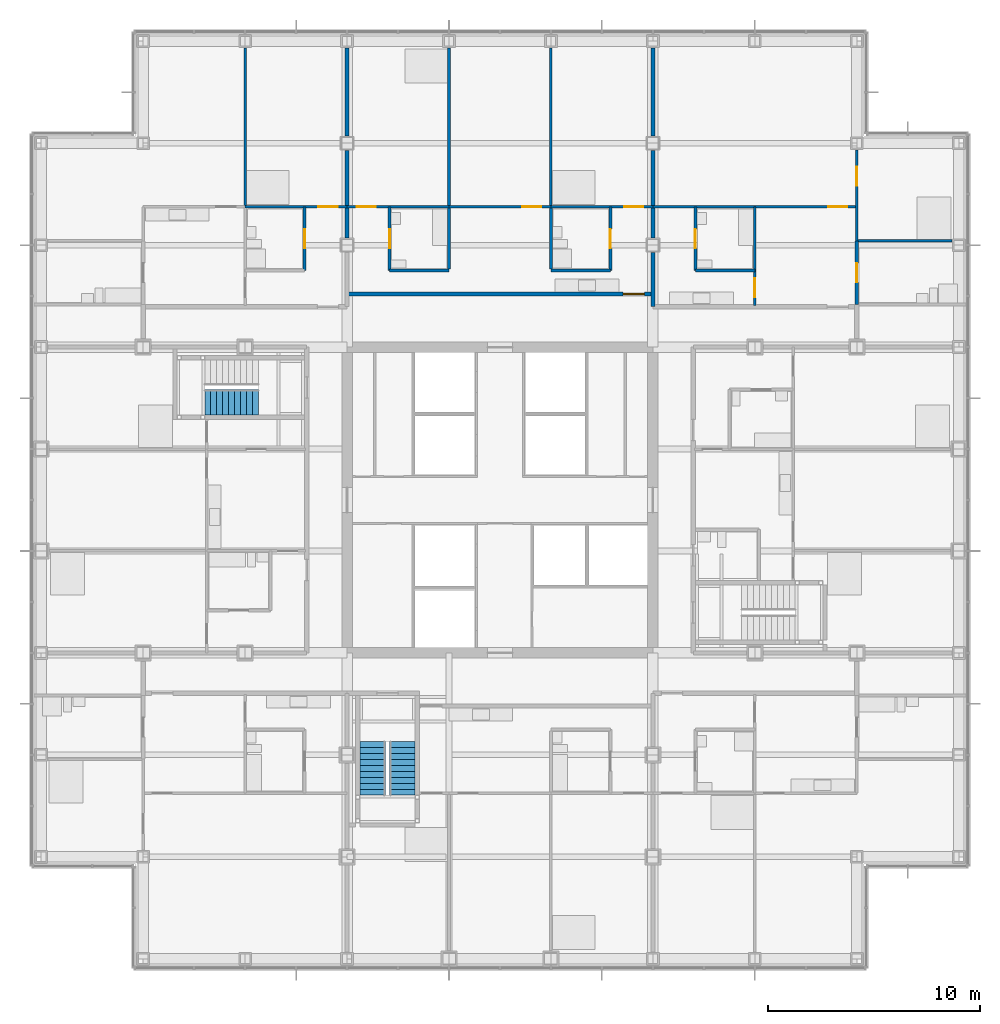
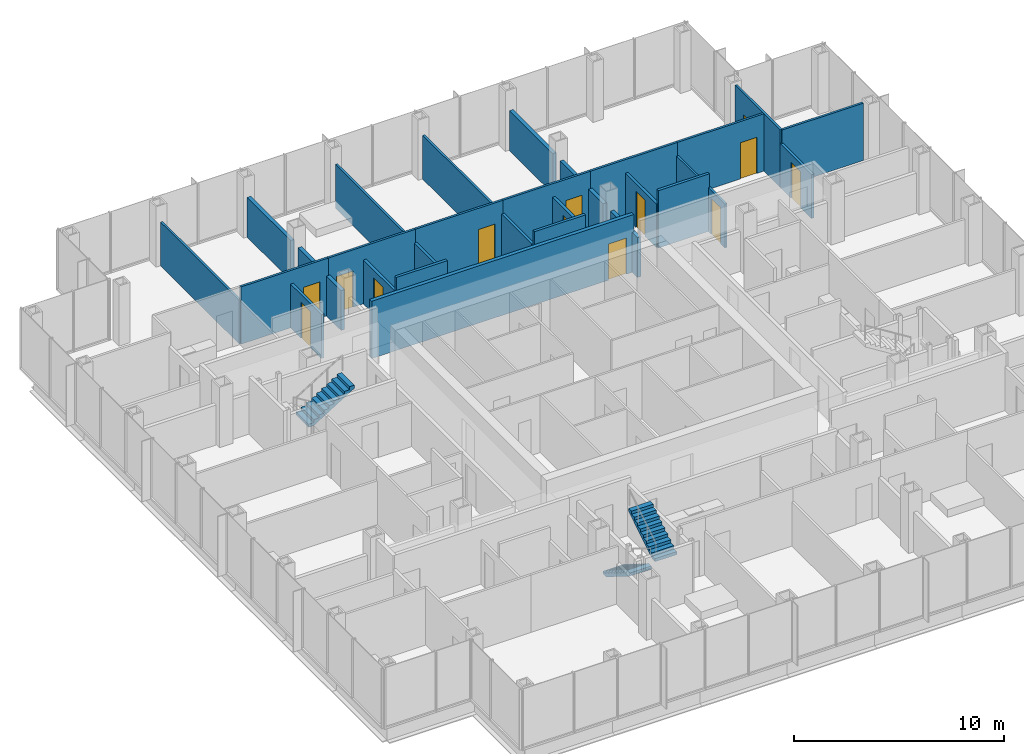
# One storey, part 17 of 21: 28 walls, 13 doors, 3 stair flights, 13 openings, 2 elements without a shape of their own.
"""IFC4 building model written with IfcOpenShell, lengths in metres."""

from ifc_helpers import new_model, si_unit, direction, frame, frame_2d, origin, place, context, subcontext, project, spatial, polyline, rectangle, outline, extrude, material, layer, layer_set, type_object, element, fill, aggregate, save


model = new_model("IFC4")

# Units and contexts
model_context = context("Model", 3, precision=1e-05, world=origin(), true_north=direction((0.0, 1.0)))
body_context = subcontext(model_context, "Body", "Model", "MODEL_VIEW")
ifc_project = project(units=[si_unit("LENGTHUNIT", "METRE"), si_unit("AREAUNIT", "SQUARE_METRE"), si_unit("VOLUMEUNIT", "CUBIC_METRE"), si_unit("PLANEANGLEUNIT", "RADIAN"), si_unit("MASSUNIT", "GRAM", prefix="KILO")], contexts=[model_context])

# Site, building, storey
site_placement = place(None, origin())
site = spatial("IfcSite", under=ifc_project, at=site_placement, CompositionType="ELEMENT")
building_placement = place(site_placement, origin())
building = spatial("IfcBuilding", under=site, at=building_placement, Name="Kvirike Care Tower", CompositionType="ELEMENT")
storey_placement = place(building_placement, frame((0.0, 0.0, 62.0)))
storey = spatial("IfcBuildingStorey", under=building, at=storey_placement, Name="L16", CompositionType="ELEMENT", Elevation=62.0)

# Wall, opening, door
ifc_material_1 = material(Name="Moisture-resistant board partition", Category="gypsum")
ifc_layer_1 = layer(ifc_material_1, 0.14990234375)
ifc_layer_set_1 = layer_set([ifc_layer_1], Name="BATHROOM WALL 150")
wall_type_1 = type_object("IfcWallType", Name="BATHROOM WALL 150", PredefinedType="PARTITIONING", material=ifc_layer_set_1)
wall_1_placement = place(storey_placement, frame((12.39990234375, 49.800048828125, 0.0), z_axis=(0.0, 0.0, 1.0), x_axis=(0.0, -1.0, 0.0)))
wall_1 = element("IfcWall", 1, at=wall_1_placement, inside=storey, type_object=wall_type_1, Name="Bathroom Wall 150 L16", PredefinedType="PARTITIONING", context=body_context, shape_type="SweptSolid", body=[
    extrude(rectangle(XDim=3.0, YDim=0.14990234375, at=frame_2d((1.5, 0.0))), origin(), (0.0, 0.0, 1.0), 2.550048828125),
])
opening_1_placement = place(wall_1_placement, frame((1.050048828125, 0.0, 0.0)))
opening_1 = element("IfcOpeningElement", 2, at=opening_1_placement, cuts=wall_1, Name="Opening 16-015", PredefinedType="OPENING", context=body_context, shape_type="SweptSolid", body=[
    extrude(rectangle(XDim=0.89990234375, YDim=2.10009765625, at=frame_2d((0.449951171875, 1.050048828125))), frame((0.0, 0.08544921875, 0.0), z_axis=(0.0, -1.0, 0.0), x_axis=(1.0, 0.0, 0.0)), (0.0, 0.0, 1.0), 0.1708984375),
])
ifc_material_2 = material(Name="Timber door set", Category="wood")
door_type_1 = type_object("IfcDoorType", Name="BATHROOM DOOR 900", OperationType="SINGLE_SWING_RIGHT", PredefinedType="DOOR", material=ifc_material_2)
door_1_placement = place(opening_1_placement, frame((0.89990234375, 0.0, 0.0), z_axis=(0.0, 0.0, 1.0), x_axis=(-1.0, 0.0, 0.0)))
door_1 = element("IfcDoor", 3, at=door_1_placement, inside=storey, type_object=door_type_1, Name="Shower room door", OperationType="SINGLE_SWING_LEFT", OverallHeight=2.10009765625, OverallWidth=0.89990234375, PredefinedType="DOOR", context=body_context, shape_type="SweptSolid", body=[
    extrude(rectangle(XDim=0.89990234375, YDim=2.10009765625, at=frame_2d((0.449951171875, 1.050048828125))), frame((0.0, 0.02197265625, 0.0), z_axis=(0.0, -1.0, 0.0), x_axis=(1.0, 0.0, 0.0)), (0.0, 0.0, 1.0), 0.0439453125),
])
fill(opening_1, door_1)

wall_2_placement = place(storey_placement, frame((26.800048828125, 49.800048828125, 0.0), z_axis=(0.0, 0.0, 1.0), x_axis=(0.0, -1.0, 0.0)))
wall_2 = element("IfcWall", 4, at=wall_2_placement, inside=storey, type_object=wall_type_1, Name="Bathroom Wall 150 L16", PredefinedType="PARTITIONING", context=body_context, shape_type="SweptSolid", body=[
    extrude(rectangle(XDim=3.0, YDim=0.14990234375, at=frame_2d((1.5, 0.0))), origin(), (0.0, 0.0, 1.0), 2.550048828125),
])
opening_2_placement = place(wall_2_placement, frame((1.050048828125, 0.0, 0.0)))
opening_2 = element("IfcOpeningElement", 5, at=opening_2_placement, cuts=wall_2, Name="Opening 16-027", PredefinedType="OPENING", context=body_context, shape_type="SweptSolid", body=[
    extrude(rectangle(XDim=0.89990234375, YDim=2.10009765625, at=frame_2d((0.449951171875, 1.050048828125))), frame((0.0, 0.08544921875, 0.0), z_axis=(0.0, -1.0, 0.0), x_axis=(1.0, 0.0, 0.0)), (0.0, 0.0, 1.0), 0.1708984375),
])
door_2_placement = place(opening_2_placement, frame((0.89990234375, 0.0, 0.0), z_axis=(0.0, 0.0, 1.0), x_axis=(-1.0, 0.0, 0.0)))
door_2 = element("IfcDoor", 6, at=door_2_placement, inside=storey, type_object=door_type_1, Name="Shower room door", OperationType="SINGLE_SWING_RIGHT", OverallHeight=2.10009765625, OverallWidth=0.89990234375, PredefinedType="DOOR", context=body_context, shape_type="SweptSolid", body=[
    extrude(rectangle(XDim=0.89990234375, YDim=2.10009765625, at=frame_2d((0.449951171875, 1.050048828125))), frame((0.0, 0.02197265625, 0.0), z_axis=(0.0, -1.0, 0.0), x_axis=(1.0, 0.0, 0.0)), (0.0, 0.0, 1.0), 0.0439453125),
])
fill(opening_2, door_2)

# Wall
wall_3_placement = place(storey_placement, frame((26.800048828125, 46.800048828125, 0.0), z_axis=(0.0, 0.0, 1.0), x_axis=(-1.0, 0.0, 0.0)))
element("IfcWall", 7, at=wall_3_placement, inside=storey, type_object=wall_type_1, Name="Bathroom Wall 150 L16", PredefinedType="PARTITIONING", context=body_context, shape_type="SweptSolid", body=[
    extrude(rectangle(XDim=2.800048828125, YDim=0.14990234375, at=frame_2d((1.39990234375, 0.0))), origin(), (0.0, 0.0, 1.0), 3.330078125),
])

# Wall, opening, door
wall_4_placement = place(storey_placement, frame((16.39990234375, 49.800048828125, 0.0), z_axis=(0.0, 0.0, 1.0), x_axis=(0.0, -1.0, 0.0)))
wall_4 = element("IfcWall", 8, at=wall_4_placement, inside=storey, type_object=wall_type_1, Name="Bathroom Wall 150 L16", PredefinedType="PARTITIONING", context=body_context, shape_type="SweptSolid", body=[
    extrude(rectangle(XDim=3.0, YDim=0.14990234375, at=frame_2d((1.5, 0.0))), origin(), (0.0, 0.0, 1.0), 2.550048828125),
])
opening_3_placement = place(wall_4_placement, frame((1.050048828125, 0.0, 0.0)))
opening_3 = element("IfcOpeningElement", 9, at=opening_3_placement, cuts=wall_4, Name="Opening 16-028", PredefinedType="OPENING", context=body_context, shape_type="SweptSolid", body=[
    extrude(rectangle(XDim=0.89990234375, YDim=2.10009765625, at=frame_2d((0.449951171875, 1.050048828125))), frame((0.0, 0.08544921875, 0.0), z_axis=(0.0, -1.0, 0.0), x_axis=(1.0, 0.0, 0.0)), (0.0, 0.0, 1.0), 0.1708984375),
])
door_3_placement = place(opening_3_placement, origin())
door_3 = element("IfcDoor", 10, at=door_3_placement, inside=storey, type_object=door_type_1, Name="Bathroom door", OperationType="SINGLE_SWING_RIGHT", OverallHeight=2.10009765625, OverallWidth=0.89990234375, PredefinedType="DOOR", context=body_context, shape_type="SweptSolid", body=[
    extrude(rectangle(XDim=0.89990234375, YDim=2.10009765625, at=frame_2d((0.449951171875, 1.050048828125))), frame((0.0, 0.02197265625, 0.0), z_axis=(0.0, -1.0, 0.0), x_axis=(1.0, 0.0, 0.0)), (0.0, 0.0, 1.0), 0.0439453125),
])
fill(opening_3, door_3)

# Wall
wall_5_placement = place(storey_placement, frame((19.199951171875, 46.800048828125, 0.0), z_axis=(0.0, 0.0, 1.0), x_axis=(-1.0, 0.0, 0.0)))
element("IfcWall", 11, at=wall_5_placement, inside=storey, type_object=wall_type_1, Name="Bathroom Wall 150 L16", PredefinedType="PARTITIONING", context=body_context, shape_type="SweptSolid", body=[
    extrude(rectangle(XDim=2.800048828125, YDim=0.14990234375, at=frame_2d((1.39990234375, 0.0))), origin(), (0.0, 0.0, 1.0), 3.330078125),
])

# Wall, opening, door
wall_6_placement = place(storey_placement, frame((38.39990234375, 48.199951171875, 0.0), z_axis=(0.0, 0.0, 1.0), x_axis=(0.0, -1.0, 0.0)))
wall_6 = element("IfcWall", 12, at=wall_6_placement, inside=storey, type_object=wall_type_1, Name="Bathroom Wall 150 L16", PredefinedType="PARTITIONING", context=body_context, shape_type="SweptSolid", body=[
    extrude(rectangle(XDim=3.0, YDim=0.14990234375, at=frame_2d((1.5, 0.0))), origin(), (0.0, 0.0, 1.0), 2.550048828125),
])
opening_4_placement = place(wall_6_placement, frame((1.050048828125, 0.0, 0.0)))
opening_4 = element("IfcOpeningElement", 13, at=opening_4_placement, cuts=wall_6, Name="Opening 16-047", PredefinedType="OPENING", context=body_context, shape_type="SweptSolid", body=[
    extrude(rectangle(XDim=0.89990234375, YDim=2.10009765625, at=frame_2d((0.449951171875, 1.050048828125))), frame((0.0, 0.08544921875, 0.0), z_axis=(0.0, -1.0, 0.0), x_axis=(1.0, 0.0, 0.0)), (0.0, 0.0, 1.0), 0.1708984375),
])
door_4_placement = place(opening_4_placement, origin())
door_4 = element("IfcDoor", 14, at=door_4_placement, inside=storey, type_object=door_type_1, Name="Shower room door", OperationType="SINGLE_SWING_LEFT", OverallHeight=2.10009765625, OverallWidth=0.89990234375, PredefinedType="DOOR", context=body_context, shape_type="SweptSolid", body=[
    extrude(rectangle(XDim=0.89990234375, YDim=2.10009765625, at=frame_2d((0.449951171875, 1.050048828125))), frame((0.0, 0.02197265625, 0.0), z_axis=(0.0, -1.0, 0.0), x_axis=(1.0, 0.0, 0.0)), (0.0, 0.0, 1.0), 0.0439453125),
])
fill(opening_4, door_4)

wall_7_placement = place(storey_placement, frame((30.800048828125, 49.800048828125, 0.0), z_axis=(0.0, 0.0, 1.0), x_axis=(0.0, -1.0, 0.0)))
wall_7 = element("IfcWall", 15, at=wall_7_placement, inside=storey, type_object=wall_type_1, Name="Bathroom Wall 150 L16", PredefinedType="PARTITIONING", context=body_context, shape_type="SweptSolid", body=[
    extrude(rectangle(XDim=3.0, YDim=0.14990234375, at=frame_2d((1.5, 0.0))), origin(), (0.0, 0.0, 1.0), 2.550048828125),
])
opening_5_placement = place(wall_7_placement, frame((1.050048828125, 0.0, 0.0)))
opening_5 = element("IfcOpeningElement", 16, at=opening_5_placement, cuts=wall_7, Name="Opening 16-048", PredefinedType="OPENING", context=body_context, shape_type="SweptSolid", body=[
    extrude(rectangle(XDim=0.89990234375, YDim=2.10009765625, at=frame_2d((0.449951171875, 1.050048828125))), frame((0.0, 0.08544921875, 0.0), z_axis=(0.0, -1.0, 0.0), x_axis=(1.0, 0.0, 0.0)), (0.0, 0.0, 1.0), 0.1708984375),
])
door_5_placement = place(opening_5_placement, origin())
door_5 = element("IfcDoor", 17, at=door_5_placement, inside=storey, type_object=door_type_1, Name="Bathroom door", OperationType="SINGLE_SWING_RIGHT", OverallHeight=2.10009765625, OverallWidth=0.89990234375, PredefinedType="DOOR", context=body_context, shape_type="SweptSolid", body=[
    extrude(rectangle(XDim=0.89990234375, YDim=2.10009765625, at=frame_2d((0.449951171875, 1.050048828125))), frame((0.0, 0.02197265625, 0.0), z_axis=(0.0, -1.0, 0.0), x_axis=(1.0, 0.0, 0.0)), (0.0, 0.0, 1.0), 0.0439453125),
])
fill(opening_5, door_5)

# Walls
wall_8_placement = place(storey_placement, frame((33.60009765625, 46.800048828125, 0.0), z_axis=(0.0, 0.0, 1.0), x_axis=(-1.0, 0.0, 0.0)))
element("IfcWall", 18, at=wall_8_placement, inside=storey, type_object=wall_type_1, Name="Bathroom Wall 150 L16", PredefinedType="PARTITIONING", context=body_context, shape_type="SweptSolid", body=[
    extrude(rectangle(XDim=2.800048828125, YDim=0.14990234375, at=frame_2d((1.39990234375, 0.0))), origin(), (0.0, 0.0, 1.0), 3.330078125),
])
for number, where, z_axis, x_axis, name in (
    (19, (24.0, 46.875, 0.0), (0.0, 0.0, 1.0), (0.0, 1.0, 0.0), "Bathroom Wall 150 L16"),
    (20, (19.199951171875, 49.739990234375, 0.0), (0.0, 0.0, 1.0), (0.0, -1.0, 0.0), "Bathroom Wall 150 L16"),
):
    element("IfcWall", number, at=place(storey_placement, frame(where, z_axis=z_axis, x_axis=x_axis)), inside=storey, type_object=wall_type_1, Name=name, PredefinedType="PARTITIONING", context=body_context, shape_type="SweptSolid", body=[
        extrude(rectangle(XDim=2.864990234375, YDim=0.14990234375, at=frame_2d((1.4326171875, 0.0))), origin(), (0.0, 0.0, 1.0), 2.550048828125),
    ])

# Wall, opening, door
ifc_material_3 = material(Name="Plasterboard corridor wall", Category="gypsum")
ifc_layer_2 = layer(ifc_material_3, 0.199951171875)
ifc_layer_set_2 = layer_set([ifc_layer_2], Name="CORRIDOR WALL 200")
wall_type_2 = type_object("IfcWallType", Name="CORRIDOR WALL 200", PredefinedType="PARTITIONING", material=ifc_layer_set_2)
wall_9_placement = place(storey_placement, frame((28.800048828125, 45.699951171875, 0.0), z_axis=(0.0, 0.0, 1.0), x_axis=(-1.0, 0.0, 0.0)))
wall_9 = element("IfcWall", 21, at=wall_9_placement, inside=storey, type_object=wall_type_2, Name="Corridor Wall 200 L16", PredefinedType="PARTITIONING", context=body_context, shape_type="SweptSolid", body=[
    extrude(rectangle(XDim=14.400146484375, YDim=0.199951171875, at=frame_2d((7.2001953125, 0.0))), origin(), (0.0, 0.0, 1.0), 3.330078125),
])
opening_6_placement = place(wall_9_placement, frame((0.39990234375, 0.0, 0.0)))
opening_6 = element("IfcOpeningElement", 22, at=opening_6_placement, cuts=wall_9, Name="Opening 16-032", PredefinedType="OPENING", context=body_context, shape_type="SweptSolid", body=[
    extrude(rectangle(XDim=1.0, YDim=2.10009765625, at=frame_2d((0.5, 1.050048828125))), frame((0.0, 0.110595703125, 0.0), z_axis=(0.0, -1.0, 0.0), x_axis=(1.0, 0.0, 0.0)), (0.0, 0.0, 1.0), 0.220947265625),
])
ifc_material_4 = material(Name="Timber door set", Category="wood")
door_type_2 = type_object("IfcDoorType", Name="FLAT ENTRANCE DOOR 1000", OperationType="SINGLE_SWING_LEFT", PredefinedType="DOOR", material=ifc_material_4)
door_6_placement = place(opening_6_placement, frame((1.0, 0.0, 0.0), z_axis=(0.0, 0.0, 1.0), x_axis=(-1.0, 0.0, 0.0)))
door_6 = element("IfcDoor", 23, at=door_6_placement, inside=storey, type_object=door_type_2, Name="Two-bedroom apartment entrance", OperationType="SINGLE_SWING_LEFT", OverallHeight=2.10009765625, OverallWidth=1.0, PredefinedType="DOOR", context=body_context, shape_type="SweptSolid", body=[
    extrude(rectangle(XDim=1.0, YDim=2.10009765625, at=frame_2d((0.5, 1.050048828125))), frame((0.0, 0.02685546875, 0.0), z_axis=(0.0, -1.0, 0.0), x_axis=(1.0, 0.0, 0.0)), (0.0, 0.0, 1.0), 0.053955078125),
])
fill(opening_6, door_6)

ifc_material_5 = material(Name="Plasterboard partition", Category="gypsum")
ifc_layer_3 = layer(ifc_material_5, 0.1201171875)
ifc_layer_set_3 = layer_set([ifc_layer_3], Name="PARTITION 120")
wall_type_3 = type_object("IfcWallType", Name="PARTITION 120", PredefinedType="PARTITIONING", material=ifc_layer_set_3)
wall_10_placement = place(storey_placement, frame((14.39990234375, 49.800048828125, 0.0), z_axis=(0.0, 0.0, 1.0), x_axis=(-1.0, 0.0, 0.0)))
wall_10 = element("IfcWall", 24, at=wall_10_placement, inside=storey, type_object=wall_type_3, Name="Partition 120 L16", PredefinedType="PARTITIONING", context=body_context, shape_type="SweptSolid", body=[
    extrude(rectangle(XDim=4.7998046875, YDim=0.1201171875, at=frame_2d((2.39990234375, 0.0))), origin(), (0.0, 0.0, 1.0), 3.330078125),
])
opening_7_placement = place(wall_10_placement, frame((0.449951171875, 0.0, 0.0)))
opening_7 = element("IfcOpeningElement", 25, at=opening_7_placement, cuts=wall_10, Name="Opening 16-018", PredefinedType="OPENING", context=body_context, shape_type="SweptSolid", body=[
    extrude(rectangle(XDim=0.89990234375, YDim=2.10009765625, at=frame_2d((0.449951171875, 1.050048828125))), frame((0.0, 0.070556640625, 0.0), z_axis=(0.0, -1.0, 0.0), x_axis=(1.0, 0.0, 0.0)), (0.0, 0.0, 1.0), 0.14111328125),
])
ifc_material_6 = material(Name="Timber door set", Category="wood")
door_type_3 = type_object("IfcDoorType", Name="INTERNAL DOOR 900", OperationType="SINGLE_SWING_LEFT", PredefinedType="DOOR", material=ifc_material_6)
door_7_placement = place(opening_7_placement, origin())
door_7 = element("IfcDoor", 26, at=door_7_placement, inside=storey, type_object=door_type_3, Name="Apartment bedroom door", OperationType="SINGLE_SWING_RIGHT", OverallHeight=2.10009765625, OverallWidth=0.89990234375, PredefinedType="DOOR", context=body_context, shape_type="SweptSolid", body=[
    extrude(rectangle(XDim=0.89990234375, YDim=2.10009765625, at=frame_2d((0.449951171875, 1.050048828125))), frame((0.0, 0.02197265625, 0.0), z_axis=(0.0, -1.0, 0.0), x_axis=(1.0, 0.0, 0.0)), (0.0, 0.0, 1.0), 0.0439453125),
])
fill(opening_7, door_7)

# Wall
wall_11_placement = place(storey_placement, frame((9.60009765625, 57.280029296875, 0.0), z_axis=(0.0, 0.0, 1.0), x_axis=(0.0, -1.0, 0.0)))
element("IfcWall", 27, at=wall_11_placement, inside=storey, type_object=wall_type_3, Name="Partition 120 L16", PredefinedType="PARTITIONING", context=body_context, shape_type="SweptSolid", body=[
    extrude(rectangle(XDim=7.47998046875, YDim=0.1201171875, at=frame_2d((3.739990234375, 0.0))), origin(), (0.0, 0.0, 1.0), 2.550048828125),
])

# Wall, opening, door
wall_12_placement = place(storey_placement, frame((28.800048828125, 49.800048828125, 0.0), z_axis=(0.0, 0.0, 1.0), x_axis=(-1.0, 0.0, 0.0)))
wall_12 = element("IfcWall", 28, at=wall_12_placement, inside=storey, type_object=wall_type_3, Name="Partition 120 L16", PredefinedType="PARTITIONING", context=body_context, shape_type="SweptSolid", body=[
    extrude(rectangle(XDim=4.800048828125, YDim=0.1201171875, at=frame_2d((2.39990234375, 0.0))), origin(), (0.0, 0.0, 1.0), 3.330078125),
])
opening_8_placement = place(wall_12_placement, frame((0.449951171875, 0.0, 0.0)))
opening_8 = element("IfcOpeningElement", 29, at=opening_8_placement, cuts=wall_12, Name="Opening 16-029", PredefinedType="OPENING", context=body_context, shape_type="SweptSolid", body=[
    extrude(rectangle(XDim=0.89990234375, YDim=2.10009765625, at=frame_2d((0.449951171875, 1.050048828125))), frame((0.0, 0.070556640625, 0.0), z_axis=(0.0, -1.0, 0.0), x_axis=(1.0, 0.0, 0.0)), (0.0, 0.0, 1.0), 0.14111328125),
])
door_8_placement = place(opening_8_placement, frame((0.89990234375, 0.0, 0.0), z_axis=(0.0, 0.0, 1.0), x_axis=(-1.0, 0.0, 0.0)))
door_8 = element("IfcDoor", 30, at=door_8_placement, inside=storey, type_object=door_type_3, Name="Apartment bedroom door", OperationType="SINGLE_SWING_LEFT", OverallHeight=2.10009765625, OverallWidth=0.89990234375, PredefinedType="DOOR", context=body_context, shape_type="SweptSolid", body=[
    extrude(rectangle(XDim=0.89990234375, YDim=2.10009765625, at=frame_2d((0.449951171875, 1.050048828125))), frame((0.0, 0.02197265625, 0.0), z_axis=(0.0, -1.0, 0.0), x_axis=(1.0, 0.0, 0.0)), (0.0, 0.0, 1.0), 0.0439453125),
])
fill(opening_8, door_8)

wall_13_placement = place(storey_placement, frame((24.0, 49.800048828125, 0.0), z_axis=(0.0, 0.0, 1.0), x_axis=(-1.0, 0.0, 0.0)))
wall_13 = element("IfcWall", 31, at=wall_13_placement, inside=storey, type_object=wall_type_3, Name="Partition 120 L16", PredefinedType="PARTITIONING", context=body_context, shape_type="SweptSolid", body=[
    extrude(rectangle(XDim=4.800048828125, YDim=0.1201171875, at=frame_2d((2.39990234375, 0.0))), origin(), (0.0, 0.0, 1.0), 3.330078125),
])
opening_9_placement = place(wall_13_placement, frame((0.449951171875, 0.0, 0.0)))
opening_9 = element("IfcOpeningElement", 32, at=opening_9_placement, cuts=wall_13, Name="Opening 16-030", PredefinedType="OPENING", context=body_context, shape_type="SweptSolid", body=[
    extrude(rectangle(XDim=0.89990234375, YDim=2.10009765625, at=frame_2d((0.449951171875, 1.050048828125))), frame((0.0, 0.070556640625, 0.0), z_axis=(0.0, -1.0, 0.0), x_axis=(1.0, 0.0, 0.0)), (0.0, 0.0, 1.0), 0.14111328125),
])
door_9_placement = place(opening_9_placement, frame((0.89990234375, 0.0, 0.0), z_axis=(0.0, 0.0, 1.0), x_axis=(-1.0, 0.0, 0.0)))
door_9 = element("IfcDoor", 33, at=door_9_placement, inside=storey, type_object=door_type_3, Name="Apartment living room door", OperationType="SINGLE_SWING_RIGHT", OverallHeight=2.10009765625, OverallWidth=0.89990234375, PredefinedType="DOOR", context=body_context, shape_type="SweptSolid", body=[
    extrude(rectangle(XDim=0.89990234375, YDim=2.10009765625, at=frame_2d((0.449951171875, 1.050048828125))), frame((0.0, 0.02197265625, 0.0), z_axis=(0.0, -1.0, 0.0), x_axis=(1.0, 0.0, 0.0)), (0.0, 0.0, 1.0), 0.0439453125),
])
fill(opening_9, door_9)

wall_14_placement = place(storey_placement, frame((19.199951171875, 49.800048828125, 0.0), z_axis=(0.0, 0.0, 1.0), x_axis=(-1.0, 0.0, 0.0)))
wall_14 = element("IfcWall", 34, at=wall_14_placement, inside=storey, type_object=wall_type_3, Name="Partition 120 L16", PredefinedType="PARTITIONING", context=body_context, shape_type="SweptSolid", body=[
    extrude(rectangle(XDim=4.800048828125, YDim=0.1201171875, at=frame_2d((2.39990234375, 0.0))), origin(), (0.0, 0.0, 1.0), 3.330078125),
])
opening_10_placement = place(wall_14_placement, frame((3.449951171875, 0.0, 0.0)))
opening_10 = element("IfcOpeningElement", 35, at=opening_10_placement, cuts=wall_14, Name="Opening 16-031", PredefinedType="OPENING", context=body_context, shape_type="SweptSolid", body=[
    extrude(rectangle(XDim=0.89990234375, YDim=2.10009765625, at=frame_2d((0.449951171875, 1.050048828125))), frame((0.0, 0.070556640625, 0.0), z_axis=(0.0, -1.0, 0.0), x_axis=(1.0, 0.0, 0.0)), (0.0, 0.0, 1.0), 0.14111328125),
])
door_10_placement = place(opening_10_placement, frame((0.89990234375, 0.0, 0.0), z_axis=(0.0, 0.0, 1.0), x_axis=(-1.0, 0.0, 0.0)))
door_10 = element("IfcDoor", 36, at=door_10_placement, inside=storey, type_object=door_type_3, Name="Apartment bedroom door", OperationType="SINGLE_SWING_RIGHT", OverallHeight=2.10009765625, OverallWidth=0.89990234375, PredefinedType="DOOR", context=body_context, shape_type="SweptSolid", body=[
    extrude(rectangle(XDim=0.89990234375, YDim=2.10009765625, at=frame_2d((0.449951171875, 1.050048828125))), frame((0.0, 0.02197265625, 0.0), z_axis=(0.0, -1.0, 0.0), x_axis=(1.0, 0.0, 0.0)), (0.0, 0.0, 1.0), 0.0439453125),
])
fill(opening_10, door_10)

# Walls
for number, where, z_axis, x_axis, name in (
    (37, (24.0, 57.280029296875, 0.0), (0.0, 0.0, 1.0), (0.0, -1.0, 0.0), "Partition 120 L16"),
    (38, (19.199951171875, 57.280029296875, 0.0), (0.0, 0.0, 1.0), (0.0, -1.0, 0.0), "Partition 120 L16"),
):
    element("IfcWall", number, at=place(storey_placement, frame(where, z_axis=z_axis, x_axis=x_axis)), inside=storey, type_object=wall_type_3, Name=name, PredefinedType="PARTITIONING", context=body_context, shape_type="SweptSolid", body=[
        extrude(rectangle(XDim=7.47998046875, YDim=0.1201171875, at=frame_2d((3.739990234375, 0.0))), origin(), (0.0, 0.0, 1.0), 2.550048828125),
    ])

# Wall, opening, door
wall_15_placement = place(storey_placement, frame((33.60009765625, 49.800048828125, 0.0), z_axis=(0.0, 0.0, 1.0), x_axis=(0.0, -1.0, 0.0)))
wall_15 = element("IfcWall", 39, at=wall_15_placement, inside=storey, type_object=wall_type_3, Name="Partition 120 L16", PredefinedType="PARTITIONING", context=body_context, shape_type="SweptSolid", body=[
    extrude(rectangle(XDim=4.650146484375, YDim=0.1201171875, at=frame_2d((2.3251953125, 0.0))), origin(), (0.0, 0.0, 1.0), 2.550048828125),
])
opening_11_placement = place(wall_15_placement, frame((3.35009765625, 0.0, 0.0)))
opening_11 = element("IfcOpeningElement", 40, at=opening_11_placement, cuts=wall_15, Name="Opening 16-049", PredefinedType="OPENING", context=body_context, shape_type="SweptSolid", body=[
    extrude(rectangle(XDim=0.89990234375, YDim=2.10009765625, at=frame_2d((0.449951171875, 1.050048828125))), frame((0.0, 0.070556640625, 0.0), z_axis=(0.0, -1.0, 0.0), x_axis=(1.0, 0.0, 0.0)), (0.0, 0.0, 1.0), 0.14111328125),
])
door_11_placement = place(opening_11_placement, frame((0.89990234375, 0.0, 0.0), z_axis=(0.0, 0.0, 1.0), x_axis=(-1.0, 0.0, 0.0)))
door_11 = element("IfcDoor", 41, at=door_11_placement, inside=storey, type_object=door_type_3, Name="Hall door", OperationType="SINGLE_SWING_RIGHT", OverallHeight=2.10009765625, OverallWidth=0.89990234375, PredefinedType="DOOR", context=body_context, shape_type="SweptSolid", body=[
    extrude(rectangle(XDim=0.89990234375, YDim=2.10009765625, at=frame_2d((0.449951171875, 1.050048828125))), frame((0.0, 0.02197265625, 0.0), z_axis=(0.0, -1.0, 0.0), x_axis=(1.0, 0.0, 0.0)), (0.0, 0.0, 1.0), 0.0439453125),
])
fill(opening_11, door_11)

# Wall
wall_16_placement = place(storey_placement, frame((42.8798828125, 48.199951171875, 0.0), z_axis=(0.0, 0.0, 1.0), x_axis=(-1.0, 0.0, 0.0)))
element("IfcWall", 42, at=wall_16_placement, inside=storey, type_object=wall_type_3, Name="Partition 120 L16", PredefinedType="PARTITIONING", context=body_context, shape_type="SweptSolid", body=[
    extrude(rectangle(XDim=4.47998046875, YDim=0.1201171875, at=frame_2d((2.239990234375, 0.0))), origin(), (0.0, 0.0, 1.0), 3.330078125),
])

# Wall, opening, door
wall_17_placement = place(storey_placement, frame((38.39990234375, 49.800048828125, 0.0), z_axis=(0.0, 0.0, 1.0), x_axis=(-1.0, 0.0, 0.0)))
wall_17 = element("IfcWall", 43, at=wall_17_placement, inside=storey, type_object=wall_type_3, Name="Partition 120 L16", PredefinedType="PARTITIONING", context=body_context, shape_type="SweptSolid", body=[
    extrude(rectangle(XDim=4.7998046875, YDim=0.1201171875, at=frame_2d((2.39990234375, 0.0))), origin(), (0.0, 0.0, 1.0), 3.330078125),
])
opening_12_placement = place(wall_17_placement, frame((0.449951171875, 0.0, 0.0)))
opening_12 = element("IfcOpeningElement", 44, at=opening_12_placement, cuts=wall_17, Name="Opening 16-050", PredefinedType="OPENING", context=body_context, shape_type="SweptSolid", body=[
    extrude(rectangle(XDim=0.89990234375, YDim=2.10009765625, at=frame_2d((0.449951171875, 1.050048828125))), frame((0.0, 0.070556640625, 0.0), z_axis=(0.0, -1.0, 0.0), x_axis=(1.0, 0.0, 0.0)), (0.0, 0.0, 1.0), 0.14111328125),
])
door_12_placement = place(opening_12_placement, origin())
door_12 = element("IfcDoor", 45, at=door_12_placement, inside=storey, type_object=door_type_3, Name="Apartment living and dining room door", OperationType="SINGLE_SWING_RIGHT", OverallHeight=2.10009765625, OverallWidth=0.89990234375, PredefinedType="DOOR", context=body_context, shape_type="SweptSolid", body=[
    extrude(rectangle(XDim=0.89990234375, YDim=2.10009765625, at=frame_2d((0.449951171875, 1.050048828125))), frame((0.0, 0.02197265625, 0.0), z_axis=(0.0, -1.0, 0.0), x_axis=(1.0, 0.0, 0.0)), (0.0, 0.0, 1.0), 0.0439453125),
])
fill(opening_12, door_12)

# Wall
wall_18_placement = place(storey_placement, frame((33.60009765625, 49.800048828125, 0.0), z_axis=(0.0, 0.0, 1.0), x_axis=(-1.0, 0.0, 0.0)))
element("IfcWall", 46, at=wall_18_placement, inside=storey, type_object=wall_type_3, Name="Partition 120 L16", PredefinedType="PARTITIONING", context=body_context, shape_type="SweptSolid", body=[
    extrude(rectangle(XDim=4.800048828125, YDim=0.1201171875, at=frame_2d((2.39990234375, 0.0))), origin(), (0.0, 0.0, 1.0), 3.330078125),
])

# Wall, opening, door
wall_19_placement = place(storey_placement, frame((38.39990234375, 52.47998046875, 0.0), z_axis=(0.0, 0.0, 1.0), x_axis=(0.0, -1.0, 0.0)))
wall_19 = element("IfcWall", 47, at=wall_19_placement, inside=storey, type_object=wall_type_3, Name="Partition 120 L16", PredefinedType="PARTITIONING", context=body_context, shape_type="SweptSolid", body=[
    extrude(rectangle(XDim=4.280029296875, YDim=0.1201171875, at=frame_2d((2.14013671875, 0.0))), origin(), (0.0, 0.0, 1.0), 3.330078125),
])
opening_13_placement = place(wall_19_placement, frame((0.780029296875, 0.0, 0.0)))
opening_13 = element("IfcOpeningElement", 48, at=opening_13_placement, cuts=wall_19, Name="Opening 16-051", PredefinedType="OPENING", context=body_context, shape_type="SweptSolid", body=[
    extrude(rectangle(XDim=0.89990234375, YDim=2.10009765625, at=frame_2d((0.449951171875, 1.050048828125))), frame((0.0, 0.070556640625, 0.0), z_axis=(0.0, -1.0, 0.0), x_axis=(1.0, 0.0, 0.0)), (0.0, 0.0, 1.0), 0.14111328125),
])
door_13_placement = place(opening_13_placement, origin())
door_13 = element("IfcDoor", 49, at=door_13_placement, inside=storey, type_object=door_type_3, Name="Connecting door", OperationType="SINGLE_SWING_RIGHT", OverallHeight=2.10009765625, OverallWidth=0.89990234375, PredefinedType="DOOR", context=body_context, shape_type="SweptSolid", body=[
    extrude(rectangle(XDim=0.89990234375, YDim=2.10009765625, at=frame_2d((0.449951171875, 1.050048828125))), frame((0.0, 0.02197265625, 0.0), z_axis=(0.0, -1.0, 0.0), x_axis=(1.0, 0.0, 0.0)), (0.0, 0.0, 1.0), 0.0439453125),
])
fill(opening_13, door_13)

# Walls
ifc_material_7 = material(Name="Plasterboard party wall", Category="gypsum")
ifc_layer_4 = layer(ifc_material_7, 0.199951171875)
ifc_layer_set_4 = layer_set([ifc_layer_4], Name="PARTY WALL 200")
wall_type_4 = type_object("IfcWallType", Name="PARTY WALL 200", PredefinedType="PARTITIONING", material=ifc_layer_set_4)
wall_20_placement = place(storey_placement, frame((14.39990234375, 48.344970703125, 0.0), z_axis=(0.0, 0.0, 1.0), x_axis=(0.0, 1.0, 0.0)))
element("IfcWall", 50, at=wall_20_placement, inside=storey, type_object=wall_type_4, Name="Party Wall 200 L16", PredefinedType="PARTITIONING", context=body_context, shape_type="SweptSolid", body=[
    extrude(rectangle(XDim=4.110107421875, YDim=0.199951171875, at=frame_2d((2.05517578125, 0.0))), origin(), (0.0, 0.0, 1.0), 2.320068359375),
])
wall_21_placement = place(storey_placement, frame((14.39990234375, 53.14501953125, 0.0), z_axis=(0.0, 0.0, 1.0), x_axis=(0.0, 1.0, 0.0)))
element("IfcWall", 51, at=wall_21_placement, inside=storey, type_object=wall_type_4, Name="Party Wall 200 L16", PredefinedType="PARTITIONING", context=body_context, shape_type="SweptSolid", body=[
    extrude(rectangle(XDim=4.135009765625, YDim=0.199951171875, at=frame_2d((2.0673828125, 0.0))), origin(), (0.0, 0.0, 1.0), 2.320068359375),
])
wall_22_placement = place(storey_placement, frame((28.800048828125, 45.10009765625, 0.0), z_axis=(0.0, 0.0, 1.0), x_axis=(0.0, 1.0, 0.0)))
element("IfcWall", 52, at=wall_22_placement, inside=storey, type_object=wall_type_4, Name="Party Wall 200 L16", PredefinedType="PARTITIONING", context=body_context, shape_type="SweptSolid", body=[
    extrude(rectangle(XDim=2.554931640625, YDim=0.199951171875, at=frame_2d((1.27734375, 0.0))), origin(), (0.0, 0.0, 1.0), 2.320068359375),
])
wall_23_placement = place(storey_placement, frame((28.800048828125, 48.344970703125, 0.0), z_axis=(0.0, 0.0, 1.0), x_axis=(0.0, 1.0, 0.0)))
element("IfcWall", 53, at=wall_23_placement, inside=storey, type_object=wall_type_4, Name="Party Wall 200 L16", PredefinedType="PARTITIONING", context=body_context, shape_type="SweptSolid", body=[
    extrude(rectangle(XDim=4.110107421875, YDim=0.199951171875, at=frame_2d((2.05517578125, 0.0))), origin(), (0.0, 0.0, 1.0), 2.320068359375),
])
wall_24_placement = place(storey_placement, frame((28.800048828125, 53.14501953125, 0.0), z_axis=(0.0, 0.0, 1.0), x_axis=(0.0, 1.0, 0.0)))
element("IfcWall", 54, at=wall_24_placement, inside=storey, type_object=wall_type_4, Name="Party Wall 200 L16", PredefinedType="PARTITIONING", context=body_context, shape_type="SweptSolid", body=[
    extrude(rectangle(XDim=4.135009765625, YDim=0.199951171875, at=frame_2d((2.0673828125, 0.0))), origin(), (0.0, 0.0, 1.0), 2.320068359375),
])

# Stair, stair flight
ifc_material_8 = material(Name="Concrete C35/45", Category="concrete")
stair_type = type_object("IfcStairType", Name="STAIR 20 RISERS", PredefinedType="HALF_TURN_STAIR", material=ifc_material_8)
stair_1_placement = place(storey_placement, origin())
stair_1 = element("IfcStair", 55, at=stair_1_placement, inside=storey, type_object=stair_type, Name="Stair 1 L16", PredefinedType="HALF_TURN_STAIR")
ifc_material_9 = material(Name="Concrete C35/45", Category="concrete")
stair_flight_type = type_object("IfcStairFlightType", Name="FLIGHT 10 RISERS", PredefinedType="STRAIGHT", material=ifc_material_9)
stair_flight_1_placement = place(storey_placement, frame((7.699951171875, 40.60009765625, 1.75), z_axis=(0.0, 0.0, 1.0), x_axis=(1.0, 0.0, 0.0)))
stair_flight_1 = element("IfcStairFlight", 56, at=stair_flight_1_placement, type_object=stair_flight_type, Name="Stair S1 flight 2 L16-L17", NumberOfRisers=10, NumberOfTreads=9, PredefinedType="STRAIGHT", RiserHeight=0.175, TreadLength=0.28, context=body_context, shape_type="SweptSolid", body=[
    extrude(outline(polyline([(0.0, 0.0), (0.0, 0.175048828125), (0.280029296875, 0.175048828125), (0.280029296875, 0.35009765625), (0.56005859375, 0.35009765625), (0.56005859375, 0.52490234375), (0.840087890625, 0.52490234375), (0.840087890625, 0.699951171875), (1.1201171875, 0.699951171875), (1.1201171875, 0.875), (1.39990234375, 0.875), (1.39990234375, 1.050048828125), (1.679931640625, 1.050048828125), (1.679931640625, 1.22509765625), (1.9599609375, 1.22509765625), (1.9599609375, 1.39990234375), (2.239990234375, 1.39990234375), (2.239990234375, 1.574951171875), (2.52001953125, 1.574951171875), (2.52001953125, 1.75), (2.52001953125, 1.398193359375), (0.28271484375, 0.0), (0.0, 0.0)])), frame((0.0, 0.60009765625, 0.0), z_axis=(0.0, -1.0, 0.0), x_axis=(1.0, 0.0, 0.0)), (0.0, 0.0, 1.0), 1.199951171875),
])
aggregate(stair_1, [stair_flight_1])

# Stair, stair flights
stair_2_placement = place(storey_placement, origin())
stair_2 = element("IfcStair", 57, at=stair_2_placement, inside=storey, type_object=stair_type, Name="Stair 5 L16", PredefinedType="HALF_TURN_STAIR")
stair_flight_2_placement = place(storey_placement, frame((15.60009765625, 24.6201171875, 0.0), z_axis=(0.0, 0.0, 1.0), x_axis=(0.0, -1.0, 0.0)))
stair_flight_2 = element("IfcStairFlight", 58, at=stair_flight_2_placement, type_object=stair_flight_type, Name="Stair S5 flight 1 L16-L17", NumberOfRisers=10, NumberOfTreads=9, PredefinedType="STRAIGHT", RiserHeight=0.175, TreadLength=0.28, context=body_context, shape_type="SweptSolid", body=[
    extrude(outline(polyline([(0.0, 0.0), (0.0, 0.175048828125), (0.280029296875, 0.175048828125), (0.280029296875, 0.35009765625), (0.56005859375, 0.35009765625), (0.56005859375, 0.52490234375), (0.840087890625, 0.52490234375), (0.840087890625, 0.699951171875), (1.1201171875, 0.699951171875), (1.1201171875, 0.875), (1.39990234375, 0.875), (1.39990234375, 1.050048828125), (1.679931640625, 1.050048828125), (1.679931640625, 1.22509765625), (1.9599609375, 1.22509765625), (1.9599609375, 1.39990234375), (2.239990234375, 1.39990234375), (2.239990234375, 1.574951171875), (2.52001953125, 1.574951171875), (2.52001953125, 1.75), (2.52001953125, 1.398193359375), (0.28271484375, 0.0), (0.0, 0.0)])), frame((0.0, 0.60009765625, 0.0), z_axis=(0.0, -1.0, 0.0), x_axis=(1.0, 0.0, 0.0)), (0.0, 0.0, 1.0), 1.199951171875),
])
stair_flight_3_placement = place(storey_placement, frame((17.0, 22.10009765625, 1.75), z_axis=(0.0, 0.0, 1.0), x_axis=(0.0, 1.0, 0.0)))
stair_flight_3 = element("IfcStairFlight", 59, at=stair_flight_3_placement, type_object=stair_flight_type, Name="Stair S5 flight 2 L16-L17", NumberOfRisers=10, NumberOfTreads=9, PredefinedType="STRAIGHT", RiserHeight=0.175, TreadLength=0.28, context=body_context, shape_type="SweptSolid", body=[
    extrude(outline(polyline([(0.0, 0.0), (0.0, 0.175048828125), (0.280029296875, 0.175048828125), (0.280029296875, 0.35009765625), (0.56005859375, 0.35009765625), (0.56005859375, 0.52490234375), (0.840087890625, 0.52490234375), (0.840087890625, 0.699951171875), (1.1201171875, 0.699951171875), (1.1201171875, 0.875), (1.39990234375, 0.875), (1.39990234375, 1.050048828125), (1.679931640625, 1.050048828125), (1.679931640625, 1.22509765625), (1.9599609375, 1.22509765625), (1.9599609375, 1.39990234375), (2.239990234375, 1.39990234375), (2.239990234375, 1.574951171875), (2.52001953125, 1.574951171875), (2.52001953125, 1.75), (2.52001953125, 1.398193359375), (0.28271484375, 0.0), (0.0, 0.0)])), frame((0.0, 0.60009765625, 0.0), z_axis=(0.0, -1.0, 0.0), x_axis=(1.0, 0.0, 0.0)), (0.0, 0.0, 1.0), 1.199951171875),
])
aggregate(stair_2, [stair_flight_2, stair_flight_3])

save(model, "model.ifc")
